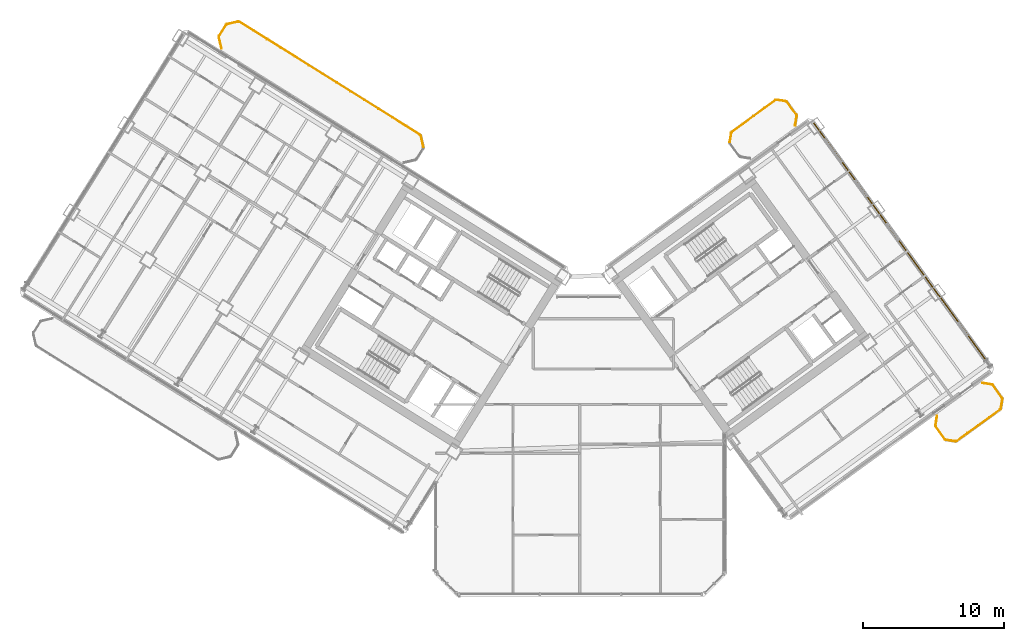
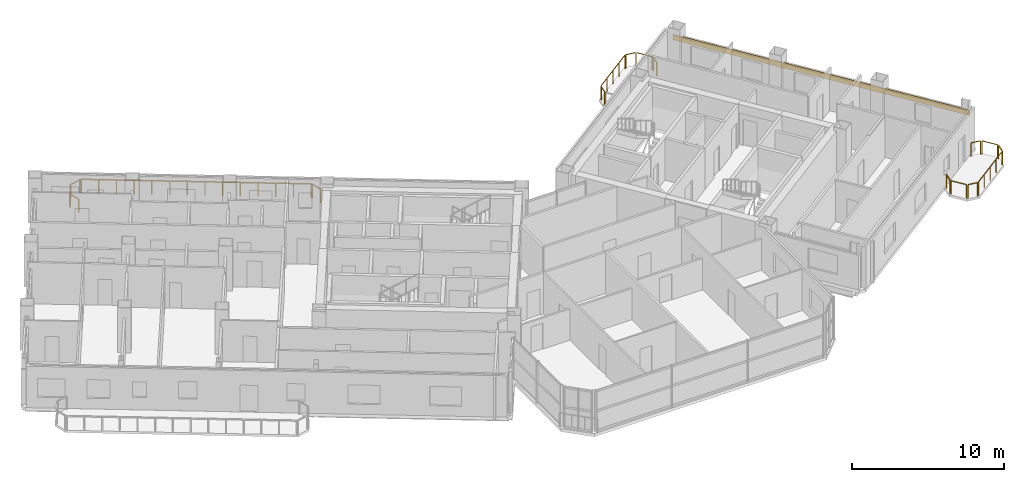
# One storey, part 29 of 29: 17 railings, 1 covering.
"""IFC4 building model written with IfcOpenShell, lengths in metres."""

import ifcopenshell
import ifcopenshell.guid

model = None  # the IFC model being written
_history = None  # IfcOwnerHistory: only IFC2X3 demands one
_inside = {}  # id of a spatial element -> (the spatial element, [elements in it])
_under = {}  # id of a project, library or spatial element -> (it, [spatial elements below it])
_declared = {}  # id of a project -> (the project, [libraries it declares])
_typed = {}  # id of a type object -> (the type object, [elements of that type])
_made_of = {}  # id of a material, layer set ... -> (it, [elements and type objects made of it])


def new_model(schema):
    """Start an empty IFC model of exactly this schema.

    Asked for "IFC4X3", IfcOpenShell would pick the latest addendum, in which some entities
    have other attributes; the version numbers below select the first issue.
    IFC2X3 requires an IfcOwnerHistory on every rooted entity: one is made here for all.
    """
    global model, _history
    if schema == "IFC4X3":
        model = ifcopenshell.file(schema_version=(4, 3, 0, 0))
    else:
        model = ifcopenshell.file(schema=schema)
    _inside.clear()
    _under.clear()
    _declared.clear()
    _typed.clear()
    _made_of.clear()
    _history = None
    if model.schema == "IFC2X3":
        org = make("IfcOrganization", Name="unknown")
        user = make(
            "IfcPersonAndOrganization",
            ThePerson=make("IfcPerson", FamilyName="unknown"),
            TheOrganization=org,
        )
        app = make(
            "IfcApplication",
            ApplicationDeveloper=org,
            Version="unknown",
            ApplicationFullName="unknown",
            ApplicationIdentifier="unknown",
        )
        _history = make(
            "IfcOwnerHistory",
            OwningUser=user,
            OwningApplication=app,
            ChangeAction="ADDED",
            CreationDate=0,
        )
    return model


def make(cls, **values):
    """One entity of the class cls with the attributes given. An attribute that is None is left unset."""
    return model.create_entity(
        cls, **{name: value for name, value in values.items() if value is not None}
    )


def rooted(cls, **values):
    """An entity with a GlobalId (a new one), such as an element, a storey or a relation."""
    return make(cls, GlobalId=ifcopenshell.guid.new(), OwnerHistory=_history, **values)


def si_unit(unit_type, name, prefix=None):
    """IfcSIUnit, for example si_unit("LENGTHUNIT", "METRE", prefix="MILLI")."""
    return make("IfcSIUnit", UnitType=unit_type, Prefix=prefix, Name=name)


def assignment(units):
    """IfcUnitAssignment: the units of a project."""
    return None if units is None else make("IfcUnitAssignment", Units=units)


def point(xyz):
    """IfcCartesianPoint."""
    return None if xyz is None else make("IfcCartesianPoint", Coordinates=xyz)


def direction(xyz):
    """IfcDirection."""
    return None if xyz is None else make("IfcDirection", DirectionRatios=xyz)


def frame(location, z_axis=None, x_axis=None):
    """IfcAxis2Placement3D, a coordinate frame: its origin and axes. An axis left out is left unset."""
    return make(
        "IfcAxis2Placement3D",
        Location=point(location),
        Axis=direction(z_axis),
        RefDirection=direction(x_axis),
    )


def frame_2d(location, x_axis=None):
    """IfcAxis2Placement2D, a coordinate frame in the plane: its origin and x axis."""
    return make(
        "IfcAxis2Placement2D", Location=point(location), RefDirection=direction(x_axis)
    )


def origin():
    """The frame at (0, 0, 0) with its axes left unset."""
    return frame((0.0, 0.0, 0.0))


def origin_2d():
    """The frame at (0, 0) in the plane with its x axis left unset."""
    return frame_2d((0.0, 0.0))


def place(relative_to, where):
    """IfcLocalPlacement: puts the frame where relative to a parent placement (None: the world)."""
    return make(
        "IfcLocalPlacement", PlacementRelTo=relative_to, RelativePlacement=where
    )


def context(
    kind, dimensions, precision=None, world=None, true_north=None, identifier=None
):
    """IfcGeometricRepresentationContext, for example the 3D "Model" context."""
    return make(
        "IfcGeometricRepresentationContext",
        ContextIdentifier=identifier,
        ContextType=kind,
        CoordinateSpaceDimension=dimensions,
        Precision=precision,
        WorldCoordinateSystem=world,
        TrueNorth=true_north,
    )


def subcontext(parent, identifier, kind, view, scale=None):
    """IfcGeometricRepresentationSubContext, for example "Body" below "Model"."""
    return make(
        "IfcGeometricRepresentationSubContext",
        ContextIdentifier=identifier,
        ContextType=kind,
        ParentContext=parent,
        TargetScale=scale,
        TargetView=view,
    )


def project(units=None, contexts=None):
    """IfcProject with its units and contexts."""
    return rooted(
        "IfcProject",
        Name="project",
        RepresentationContexts=contexts,
        UnitsInContext=assignment(units),
    )


def spatial(cls, under=None, at=None, **own):
    """A site, building, storey or space (cls), placed at a placement, below another one or the project."""
    s = rooted(cls, ObjectPlacement=at, **own)
    if under is not None:
        _under.setdefault(under.id(), (under, []))[1].append(s)
    return s


def profile(cls, at=None, kind="AREA", **sizes):
    """A parametric profile (cls). Its sizes go by their IFC names, for example OverallWidth=200.0."""
    return make(cls, ProfileType=kind, Position=at, **sizes)


def rectangle(**sizes):
    """IfcRectangleProfileDef."""
    return profile("IfcRectangleProfileDef", **sizes)


def extrude(swept, where, along, depth):
    """IfcExtrudedAreaSolid: the profile swept, set in the frame where, extruded along a direction by depth."""
    return make(
        "IfcExtrudedAreaSolid",
        SweptArea=swept,
        Position=where,
        ExtrudedDirection=direction(along),
        Depth=depth,
    )


def shape(context_of_items, identifier, shape_type, items):
    """IfcShapeRepresentation: the items that make up one representation, for example the "Body"."""
    return make(
        "IfcShapeRepresentation",
        ContextOfItems=context_of_items,
        RepresentationIdentifier=identifier,
        RepresentationType=shape_type,
        Items=items,
    )


def source(mapping_origin, context_of_items, identifier, shape_type, items):
    """IfcRepresentationMap: a shape defined once, which mapped items show again and again."""
    return make(
        "IfcRepresentationMap",
        MappingOrigin=mapping_origin,
        MappedRepresentation=shape(context_of_items, identifier, shape_type, items),
    )


def transform(
    local_origin,
    x_axis=None,
    y_axis=None,
    z_axis=None,
    scale=None,
    scale2=None,
    scale3=None,
    uniform=True,
):
    """IfcCartesianTransformationOperator3D, or its non-uniform kind. x_axis, y_axis, z_axis: its Axis1, 2, 3."""
    if uniform:
        return make(
            "IfcCartesianTransformationOperator3D",
            Axis1=direction(x_axis),
            Axis2=direction(y_axis),
            LocalOrigin=point(local_origin),
            Scale=scale,
            Axis3=direction(z_axis),
        )
    return make(
        "IfcCartesianTransformationOperator3DnonUniform",
        Axis1=direction(x_axis),
        Axis2=direction(y_axis),
        LocalOrigin=point(local_origin),
        Scale=scale,
        Axis3=direction(z_axis),
        Scale2=scale2,
        Scale3=scale3,
    )


def mapped(mapping_source, mapping_target):
    """IfcMappedItem: shows the shape of a source again, moved by a transform."""
    return make(
        "IfcMappedItem", MappingSource=mapping_source, MappingTarget=mapping_target
    )


def material(Name=None, Category=None):
    """IfcMaterial."""
    return make("IfcMaterial", Name=Name, Category=Category)


def layer(
    of_material, thickness, ventilated=None, Name=None, Category=None, Priority=None
):
    """IfcMaterialLayer: one layer of a wall or slab, of a material (None: an air gap)."""
    return make(
        "IfcMaterialLayer",
        Material=of_material,
        LayerThickness=thickness,
        IsVentilated=ventilated,
        Name=Name,
        Category=Category,
        Priority=Priority,
    )


def layer_set(layers, Name=None):
    """IfcMaterialLayerSet."""
    return make("IfcMaterialLayerSet", MaterialLayers=layers, LayerSetName=Name)


def made_of(thing, what):
    """Note that an element or type object is made of a material, layer set ...; save() writes the relation."""
    if what is not None:
        _made_of.setdefault(what.id(), (what, []))[1].append(thing)
    return thing


def type_object(cls, material=None, **own):
    """A type object (cls), such as IfcWallType, which elements share."""
    return made_of(rooted(cls, **own), material)


def element(
    cls,
    number,
    at=None,
    inside=None,
    cuts=None,
    type_object=None,
    material=None,
    context=None,
    identifier="Body",
    shape_type=None,
    held_by="IfcProductDefinitionShape",
    body=None,
    shapes=None,
    **own,
):
    """One element of the class cls, such as IfcWall. Its Tag is "e" and its number.

    at: its placement. inside: the storey or other place that contains it. cuts: it is an
    opening in that element (IfcRelVoidsElement). A single representation is given by context,
    identifier, shape_type and body (its items); several are given by shapes. held_by: the class
    of the entity that holds the representations. save() writes the other relations.
    """
    e = rooted(cls, Tag="e%d" % number, ObjectPlacement=at, **own)
    if body is not None:
        shapes = [shape(context, identifier, shape_type, body)]
    if shapes is not None:
        e.Representation = make(held_by, Representations=shapes)
    if inside is not None:
        _inside.setdefault(inside.id(), (inside, []))[1].append(e)
    if cuts is not None:
        rooted(
            "IfcRelVoidsElement", RelatingBuildingElement=cuts, RelatedOpeningElement=e
        )
    if type_object is not None:
        _typed.setdefault(type_object.id(), (type_object, []))[1].append(e)
    return made_of(e, material)


def aggregate(whole, parts):
    """IfcRelAggregates: a whole, such as a stair, and the parts it consists of."""
    return rooted("IfcRelAggregates", RelatingObject=whole, RelatedObjects=parts)


def save(model, path):
    """Write the relations noted so far, then the file.

    IfcRelAggregates (storeys below a building ...), IfcRelContainedInSpatialStructure (elements
    in a storey), IfcRelDefinesByType, IfcRelAssociatesMaterial and IfcRelDeclares: one each for
    every whole, place, type object, material and project.
    """
    for whole, parts in _under.values():
        aggregate(whole, parts)
    for where, things in _inside.values():
        rooted(
            "IfcRelContainedInSpatialStructure",
            RelatedElements=things,
            RelatingStructure=where,
        )
    for kind, things in _typed.values():
        rooted("IfcRelDefinesByType", RelatedObjects=things, RelatingType=kind)
    for what, things in _made_of.values():
        rooted("IfcRelAssociatesMaterial", RelatedObjects=things, RelatingMaterial=what)
    for by, libraries in _declared.values():
        rooted("IfcRelDeclares", RelatingContext=by, RelatedDefinitions=libraries)
    model.write(path)


model = new_model("IFC4")

# Units and contexts
model_context = context("Model", 3, precision=1e-05, world=origin(), true_north=direction((0.0, 1.0)))
body_context = subcontext(model_context, "Body", "Model", "MODEL_VIEW")
ifc_project = project(units=[si_unit("LENGTHUNIT", "METRE"), si_unit("AREAUNIT", "SQUARE_METRE"), si_unit("VOLUMEUNIT", "CUBIC_METRE"), si_unit("PLANEANGLEUNIT", "RADIAN"), si_unit("MASSUNIT", "GRAM", prefix="KILO")], contexts=[model_context])

# Site, building, storey
site_placement = place(None, origin())
site = spatial("IfcSite", under=ifc_project, at=site_placement, CompositionType="ELEMENT")
building_placement = place(site_placement, origin())
building = spatial("IfcBuilding", under=site, at=building_placement, Name="Tlacorven Tower", CompositionType="ELEMENT")
storey_placement = place(building_placement, frame((0.0, 0.0, 165.89990234375)))
storey = spatial("IfcBuildingStorey", under=building, at=storey_placement, Name="L42", CompositionType="ELEMENT", Elevation=165.89990234375)

# Railings
ifc_material_1 = material(Name="Aluminium and painted steel balustrade", Category="steel")
railing_type = type_object("IfcRailingType", Name="RL-BAL-1100", PredefinedType="BALUSTRADE", material=ifc_material_1)
shared_shape_1 = source(origin(), body_context, "Body", "SweptSolid", [
    extrude(rectangle(XDim=0.048095703125, YDim=0.048095703125, at=origin_2d()), frame((0.0, 0.0, 1.076171875), z_axis=(0.225058334816, -0.974345290916, 0.0), x_axis=(0.974345290916, 0.225058334816, 0.0)), (0.0, 0.0, 1.0), 0.80712890625),
    extrude(rectangle(XDim=0.0419921875, YDim=0.0419921875, at=origin_2d()), origin(), (0.0, 0.0, 1.0), 1.052001953125),
    extrude(rectangle(XDim=0.0419921875, YDim=0.0419921875, at=origin_2d()), frame((0.181640625, -0.786376953125, 0.0)), (0.0, 0.0, 1.0), 1.052001953125),
])
railing_1_placement = place(storey_placement, frame((30.6796875, 34.466064453125, 0.0)))
element("IfcRailing", 1, at=railing_1_placement, inside=storey, type_object=railing_type, Name="BAL-L42-W-IN Guard Railing 1", PredefinedType="BALUSTRADE", context=body_context, shape_type="MappedRepresentation", body=[
    mapped(shared_shape_1, transform((0.0, 0.0, 0.0), scale=1.0)),
])
shared_shape_2 = source(origin(), body_context, "Body", "SweptSolid", [
    extrude(rectangle(XDim=0.048095703125, YDim=0.048095703125, at=origin_2d()), frame((0.0, 0.0, 1.076171875), z_axis=(-0.225058334816, 0.974345290916, 0.0), x_axis=(-0.974345290916, -0.225058334816, 0.0)), (0.0, 0.0, 1.0), 0.80712890625),
    extrude(rectangle(XDim=0.0419921875, YDim=0.0419921875, at=origin_2d()), origin(), (0.0, 0.0, 1.0), 1.052001953125),
    extrude(rectangle(XDim=0.0419921875, YDim=0.0419921875, at=origin_2d()), frame((-0.181640625, 0.786376953125, 0.0)), (0.0, 0.0, 1.0), 1.052001953125),
])
railing_2_placement = place(storey_placement, frame((16.5361328125, 40.68115234375, 0.0)))
element("IfcRailing", 2, at=railing_2_placement, inside=storey, type_object=railing_type, Name="BAL-L42-W-IN Guard Railing 4", PredefinedType="BALUSTRADE", context=body_context, shape_type="MappedRepresentation", body=[
    mapped(shared_shape_2, transform((0.0, 0.0, 0.0), scale=1.0)),
])
shared_shape_3 = source(origin(), body_context, "Body", "SweptSolid", [
    extrude(rectangle(XDim=0.048095703125, YDim=0.048095703125, at=origin_2d()), frame((0.0, 0.0, 1.076171875), z_axis=(0.52987865805, 0.848073468364, 0.0), x_axis=(-0.848073468364, 0.52987865805, 0.0)), (0.0, 0.0, 1.0), 0.912353515625),
    extrude(rectangle(XDim=0.0419921875, YDim=0.0419921875, at=origin_2d()), origin(), (0.0, 0.0, 1.0), 1.052001953125),
    extrude(rectangle(XDim=0.0419921875, YDim=0.0419921875, at=origin_2d()), frame((0.4833984375, 0.773681640625, 0.0)), (0.0, 0.0, 1.0), 1.052001953125),
])
railing_3_placement = place(storey_placement, frame((16.369873046875, 41.55859375, 0.0)))
element("IfcRailing", 3, at=railing_3_placement, inside=storey, type_object=railing_type, Name="BAL-L42-W-IN Guard Railing 5", PredefinedType="BALUSTRADE", context=body_context, shape_type="MappedRepresentation", body=[
    mapped(shared_shape_3, transform((0.0, 0.0, 0.0), scale=1.0)),
])
shared_shape_4 = source(origin(), body_context, "Body", "SweptSolid", [
    extrude(rectangle(XDim=0.048095703125, YDim=0.048095703125, at=origin_2d()), frame((0.0, 0.0, 1.076171875), z_axis=(0.974411586182, 0.224771129628, 0.0), x_axis=(-0.224771129628, 0.974411586182, 0.0)), (0.0, 0.0, 1.0), 0.80712890625),
    extrude(rectangle(XDim=0.0419921875, YDim=0.0419921875, at=origin_2d()), origin(), (0.0, 0.0, 1.0), 1.052001953125),
    extrude(rectangle(XDim=0.0419921875, YDim=0.0419921875, at=origin_2d()), frame((0.786376953125, 0.181396484375, 0.0)), (0.0, 0.0, 1.0), 1.052001953125),
])
railing_4_placement = place(storey_placement, frame((16.928466796875, 42.385986328125, 0.0)))
element("IfcRailing", 4, at=railing_4_placement, inside=storey, type_object=railing_type, Name="BAL-L42-W-IN Guard Railing 6", PredefinedType="BALUSTRADE", context=body_context, shape_type="MappedRepresentation", body=[
    mapped(shared_shape_4, transform((0.0, 0.0, 0.0), scale=1.0)),
])
shared_shape_5 = source(origin(), body_context, "Body", "SweptSolid", [
    extrude(rectangle(XDim=0.048095703125, YDim=0.048095703125, at=origin_2d()), frame((0.0, 0.0, 1.076171875), z_axis=(0.848044572804, -0.529924902733, 0.0), x_axis=(0.529924902733, 0.848044572804, 0.0)), (0.0, 0.0, 1.0), 15.1171875),
    extrude(rectangle(XDim=0.0419921875, YDim=0.0419921875, at=origin_2d()), origin(), (0.0, 0.0, 1.0), 1.052001953125),
    extrude(rectangle(XDim=0.0419921875, YDim=0.0419921875, at=origin_2d()), frame((0.986083984375, -0.6162109375, 0.0)), (0.0, 0.0, 1.0), 1.052001953125),
    extrude(rectangle(XDim=0.0419921875, YDim=0.0419921875, at=origin_2d()), frame((1.972412109375, -1.232421875, 0.0)), (0.0, 0.0, 1.0), 1.052001953125),
    extrude(rectangle(XDim=0.0419921875, YDim=0.0419921875, at=origin_2d()), frame((2.95849609375, -1.8486328125, 0.0)), (0.0, 0.0, 1.0), 1.052001953125),
    extrude(rectangle(XDim=0.0419921875, YDim=0.0419921875, at=origin_2d()), frame((3.944580078125, -2.46484375, 0.0)), (0.0, 0.0, 1.0), 1.052001953125),
    extrude(rectangle(XDim=0.0419921875, YDim=0.0419921875, at=origin_2d()), frame((4.930908203125, -3.0810546875, 0.0)), (0.0, 0.0, 1.0), 1.052001953125),
    extrude(rectangle(XDim=0.0419921875, YDim=0.0419921875, at=origin_2d()), frame((5.9169921875, -3.697265625, 0.0)), (0.0, 0.0, 1.0), 1.052001953125),
    extrude(rectangle(XDim=0.0419921875, YDim=0.0419921875, at=origin_2d()), frame((6.903076171875, -4.313720703125, 0.0)), (0.0, 0.0, 1.0), 1.052001953125),
    extrude(rectangle(XDim=0.0419921875, YDim=0.0419921875, at=origin_2d()), frame((7.88916015625, -4.929931640625, 0.0)), (0.0, 0.0, 1.0), 1.052001953125),
    extrude(rectangle(XDim=0.0419921875, YDim=0.0419921875, at=origin_2d()), frame((8.87548828125, -5.546142578125, 0.0)), (0.0, 0.0, 1.0), 1.052001953125),
    extrude(rectangle(XDim=0.0419921875, YDim=0.0419921875, at=origin_2d()), frame((9.861572265625, -6.162353515625, 0.0)), (0.0, 0.0, 1.0), 1.052001953125),
    extrude(rectangle(XDim=0.0419921875, YDim=0.0419921875, at=origin_2d()), frame((10.84765625, -6.778564453125, 0.0)), (0.0, 0.0, 1.0), 1.052001953125),
    extrude(rectangle(XDim=0.0419921875, YDim=0.0419921875, at=origin_2d()), frame((11.833984375, -7.394775390625, 0.0)), (0.0, 0.0, 1.0), 1.052001953125),
    extrude(rectangle(XDim=0.0419921875, YDim=0.0419921875, at=origin_2d()), frame((12.820068359375, -8.010986328125, 0.0)), (0.0, 0.0, 1.0), 1.052001953125),
])
railing_5_placement = place(storey_placement, frame((17.805908203125, 42.55224609375, 0.0)))
element("IfcRailing", 5, at=railing_5_placement, inside=storey, type_object=railing_type, Name="BAL-L42-W-IN Guard Railing 7", PredefinedType="BALUSTRADE", context=body_context, shape_type="MappedRepresentation", body=[
    mapped(shared_shape_5, transform((0.0, 0.0, 0.0), scale=1.0)),
])
shared_shape_6 = source(origin(), body_context, "Body", "SweptSolid", [
    extrude(rectangle(XDim=0.048095703125, YDim=0.048095703125, at=origin_2d()), frame((0.0, 0.0, 1.076171875), z_axis=(-0.987661653326, 0.156602868908, 0.0), x_axis=(-0.156602868908, -0.987661653326, 0.0)), (0.0, 0.0, 1.0), 0.665771484375),
    extrude(rectangle(XDim=0.0419921875, YDim=0.0419921875, at=origin_2d()), origin(), (0.0, 0.0, 1.0), 1.052001953125),
    extrude(rectangle(XDim=0.0419921875, YDim=0.0419921875, at=origin_2d()), frame((-0.657470703125, 0.104248046875, 0.0)), (0.0, 0.0, 1.0), 1.052001953125),
])
railing_6_placement = place(storey_placement, frame((68.59521484375, 12.7919921875, 0.0)))
element("IfcRailing", 6, at=railing_6_placement, inside=storey, type_object=railing_type, Name="BAL-L42-E-OUT Guard Railing 1", PredefinedType="BALUSTRADE", context=body_context, shape_type="MappedRepresentation", body=[
    mapped(shared_shape_6, transform((0.0, 0.0, 0.0), scale=1.0)),
])
shared_shape_7 = source(origin(), body_context, "Body", "SweptSolid", [
    extrude(rectangle(XDim=0.048095703125, YDim=0.048095703125, at=origin_2d()), frame((0.0, 0.0, 1.076171875), z_axis=(-0.58788449985, 0.808944877501, 0.0), x_axis=(-0.808944877501, -0.58788449985, 0.0)), (0.0, 0.0, 1.0), 1.112060546875),
    extrude(rectangle(XDim=0.0419921875, YDim=0.0419921875, at=origin_2d()), origin(), (0.0, 0.0, 1.0), 1.052001953125),
    extrude(rectangle(XDim=0.0419921875, YDim=0.0419921875, at=origin_2d()), frame((-0.65380859375, 0.899658203125, 0.0)), (0.0, 0.0, 1.0), 1.052001953125),
])
railing_7_placement = place(storey_placement, frame((67.85888671875, 12.944580078125, 0.0)))
element("IfcRailing", 7, at=railing_7_placement, inside=storey, type_object=railing_type, Name="BAL-L42-E-OUT Guard Railing 2", PredefinedType="BALUSTRADE", context=body_context, shape_type="MappedRepresentation", body=[
    mapped(shared_shape_7, transform((0.0, 0.0, 0.0), scale=1.0)),
])
shared_shape_8 = source(origin(), body_context, "Body", "SweptSolid", [
    extrude(rectangle(XDim=0.048095703125, YDim=0.048095703125, at=origin_2d()), frame((0.0, 0.0, 1.076171875), z_axis=(0.156602868908, 0.987661653326, 0.0), x_axis=(-0.987661653326, 0.156602868908, 0.0)), (0.0, 0.0, 1.0), 0.665771484375),
    extrude(rectangle(XDim=0.0419921875, YDim=0.0419921875, at=origin_2d()), origin(), (0.0, 0.0, 1.0), 1.052001953125),
    extrude(rectangle(XDim=0.0419921875, YDim=0.0419921875, at=origin_2d()), frame((0.104248046875, 0.657470703125, 0.0)), (0.0, 0.0, 1.0), 1.052001953125),
])
railing_8_placement = place(storey_placement, frame((67.18359375, 13.93408203125, 0.0)))
element("IfcRailing", 8, at=railing_8_placement, inside=storey, type_object=railing_type, Name="BAL-L42-E-OUT Guard Railing 3", PredefinedType="BALUSTRADE", context=body_context, shape_type="MappedRepresentation", body=[
    mapped(shared_shape_8, transform((0.0, 0.0, 0.0), scale=1.0)),
])
shared_shape_9 = source(origin(), body_context, "Body", "SweptSolid", [
    extrude(rectangle(XDim=0.048095703125, YDim=0.048095703125, at=origin_2d()), frame((0.0, 0.0, 1.076171875), z_axis=(0.987718317463, -0.156245081039, 0.0), x_axis=(0.156245081039, 0.987718317463, 0.0)), (0.0, 0.0, 1.0), 0.66552734375),
    extrude(rectangle(XDim=0.0419921875, YDim=0.0419921875, at=origin_2d()), origin(), (0.0, 0.0, 1.0), 1.052001953125),
    extrude(rectangle(XDim=0.0419921875, YDim=0.0419921875, at=origin_2d()), frame((0.657470703125, -0.10400390625, 0.0)), (0.0, 0.0, 1.0), 1.052001953125),
])
railing_9_placement = place(storey_placement, frame((70.513916015625, 16.935546875, 0.0)))
element("IfcRailing", 9, at=railing_9_placement, inside=storey, type_object=railing_type, Name="BAL-L42-E-OUT Guard Railing 4", PredefinedType="BALUSTRADE", context=body_context, shape_type="MappedRepresentation", body=[
    mapped(shared_shape_9, transform((0.0, 0.0, 0.0), scale=1.0)),
])
shared_shape_10 = source(origin(), body_context, "Body", "SweptSolid", [
    extrude(rectangle(XDim=0.048095703125, YDim=0.048095703125, at=origin_2d()), frame((0.0, 0.0, 1.076171875), z_axis=(0.58788449985, -0.808944877501, 0.0), x_axis=(0.808944877501, 0.58788449985, 0.0)), (0.0, 0.0, 1.0), 1.112060546875),
    extrude(rectangle(XDim=0.0419921875, YDim=0.0419921875, at=origin_2d()), origin(), (0.0, 0.0, 1.0), 1.052001953125),
    extrude(rectangle(XDim=0.0419921875, YDim=0.0419921875, at=origin_2d()), frame((0.65380859375, -0.899658203125, 0.0)), (0.0, 0.0, 1.0), 1.052001953125),
])
for number, where, name in (
    (10, (71.250244140625, 16.783203125, 0.0), "BAL-L42-E-OUT Guard Railing 5"),
    (11, (56.658447265625, 36.866943359375, 0.0), "BAL-L42-E-IN Guard Railing 6"),
):
    element("IfcRailing", number, at=place(storey_placement, frame(where)), inside=storey, type_object=railing_type, Name=name, PredefinedType="BALUSTRADE", context=body_context, shape_type="MappedRepresentation", body=[
        mapped(shared_shape_10, transform((0.0, 0.0, 0.0), scale=1.0)),
    ])
shared_shape_11 = source(origin(), body_context, "Body", "SweptSolid", [
    extrude(rectangle(XDim=0.048095703125, YDim=0.048095703125, at=origin_2d()), frame((0.0, 0.0, 1.076171875), z_axis=(-0.156188498702, -0.987727266442, 0.0), x_axis=(0.987727266442, -0.156188498702, 0.0)), (0.0, 0.0, 1.0), 0.665771484375),
    extrude(rectangle(XDim=0.0419921875, YDim=0.0419921875, at=origin_2d()), origin(), (0.0, 0.0, 1.0), 1.052001953125),
    extrude(rectangle(XDim=0.0419921875, YDim=0.0419921875, at=origin_2d()), frame((-0.10400390625, -0.65771484375, 0.0)), (0.0, 0.0, 1.0), 1.052001953125),
])
railing_10_placement = place(storey_placement, frame((71.925537109375, 15.793701171875, 0.0)))
element("IfcRailing", 12, at=railing_10_placement, inside=storey, type_object=railing_type, Name="BAL-L42-E-OUT Guard Railing 6", PredefinedType="BALUSTRADE", context=body_context, shape_type="MappedRepresentation", body=[
    mapped(shared_shape_11, transform((0.0, 0.0, 0.0), scale=1.0)),
])
shared_shape_12 = source(origin(), body_context, "Body", "SweptSolid", [
    extrude(rectangle(XDim=0.048095703125, YDim=0.048095703125, at=origin_2d()), frame((0.0, 0.0, 1.076171875), z_axis=(-0.809018102573, -0.587783726986, 0.0), x_axis=(0.587783726986, -0.809018102573, 0.0)), (0.0, 0.0, 1.0), 3.817138671875),
    extrude(rectangle(XDim=0.0419921875, YDim=0.0419921875, at=origin_2d()), origin(), (0.0, 0.0, 1.0), 1.052001953125),
    extrude(rectangle(XDim=0.0419921875, YDim=0.0419921875, at=origin_2d()), frame((-0.77197265625, -0.56103515625, 0.0)), (0.0, 0.0, 1.0), 1.052001953125),
    extrude(rectangle(XDim=0.0419921875, YDim=0.0419921875, at=origin_2d()), frame((-1.5439453125, -1.121826171875, 0.0)), (0.0, 0.0, 1.0), 1.052001953125),
    extrude(rectangle(XDim=0.0419921875, YDim=0.0419921875, at=origin_2d()), frame((-2.316162109375, -1.6826171875, 0.0)), (0.0, 0.0, 1.0), 1.052001953125),
    extrude(rectangle(XDim=0.0419921875, YDim=0.0419921875, at=origin_2d()), frame((-3.088134765625, -2.24365234375, 0.0)), (0.0, 0.0, 1.0), 1.052001953125),
])
railing_11_placement = place(storey_placement, frame((71.773193359375, 15.057373046875, 0.0)))
element("IfcRailing", 13, at=railing_11_placement, inside=storey, type_object=railing_type, Name="BAL-L42-E-OUT Guard Railing 7", PredefinedType="BALUSTRADE", context=body_context, shape_type="MappedRepresentation", body=[
    mapped(shared_shape_12, transform((0.0, 0.0, 0.0), scale=1.0)),
])
shared_shape_13 = source(origin(), body_context, "Body", "SweptSolid", [
    extrude(rectangle(XDim=0.048095703125, YDim=0.048095703125, at=origin_2d()), frame((0.0, 0.0, 1.076171875), z_axis=(0.156546163506, 0.987670642822, 0.0), x_axis=(-0.987670642822, 0.156546163506, 0.0)), (0.0, 0.0, 1.0), 0.666015625),
    extrude(rectangle(XDim=0.0419921875, YDim=0.0419921875, at=origin_2d()), origin(), (0.0, 0.0, 1.0), 1.052001953125),
    extrude(rectangle(XDim=0.0419921875, YDim=0.0419921875, at=origin_2d()), frame((0.104248046875, 0.65771484375, 0.0)), (0.0, 0.0, 1.0), 1.052001953125),
])
railing_12_placement = place(storey_placement, frame((52.591796875, 34.017822265625, 0.0)))
element("IfcRailing", 14, at=railing_12_placement, inside=storey, type_object=railing_type, Name="BAL-L42-E-IN Guard Railing 3", PredefinedType="BALUSTRADE", context=body_context, shape_type="MappedRepresentation", body=[
    mapped(shared_shape_13, transform((0.0, 0.0, 0.0), scale=1.0)),
])
shared_shape_14 = source(origin(), body_context, "Body", "SweptSolid", [
    extrude(rectangle(XDim=0.048095703125, YDim=0.048095703125, at=origin_2d()), frame((0.0, 0.0, 1.076171875), z_axis=(0.809040198054, 0.587753313843, 0.0), x_axis=(-0.587753313843, 0.809040198054, 0.0)), (0.0, 0.0, 1.0), 3.8173828125),
    extrude(rectangle(XDim=0.0419921875, YDim=0.0419921875, at=origin_2d()), origin(), (0.0, 0.0, 1.0), 1.052001953125),
    extrude(rectangle(XDim=0.0419921875, YDim=0.0419921875, at=origin_2d()), frame((0.77197265625, 0.56103515625, 0.0)), (0.0, 0.0, 1.0), 1.052001953125),
    extrude(rectangle(XDim=0.0419921875, YDim=0.0419921875, at=origin_2d()), frame((1.544189453125, 1.121826171875, 0.0)), (0.0, 0.0, 1.0), 1.052001953125),
    extrude(rectangle(XDim=0.0419921875, YDim=0.0419921875, at=origin_2d()), frame((2.31640625, 1.6826171875, 0.0)), (0.0, 0.0, 1.0), 1.052001953125),
    extrude(rectangle(XDim=0.0419921875, YDim=0.0419921875, at=origin_2d()), frame((3.08837890625, 2.24365234375, 0.0)), (0.0, 0.0, 1.0), 1.052001953125),
])
railing_13_placement = place(storey_placement, frame((52.744140625, 34.754150390625, 0.0)))
element("IfcRailing", 15, at=railing_13_placement, inside=storey, type_object=railing_type, Name="BAL-L42-E-IN Guard Railing 4", PredefinedType="BALUSTRADE", context=body_context, shape_type="MappedRepresentation", body=[
    mapped(shared_shape_14, transform((0.0, 0.0, 0.0), scale=1.0)),
])
shared_shape_15 = source(origin(), body_context, "Body", "SweptSolid", [
    extrude(rectangle(XDim=0.048095703125, YDim=0.048095703125, at=origin_2d()), frame((0.0, 0.0, 1.076171875), z_axis=(0.987670642822, -0.156546163506, 0.0), x_axis=(0.156546163506, 0.987670642822, 0.0)), (0.0, 0.0, 1.0), 0.666015625),
    extrude(rectangle(XDim=0.0419921875, YDim=0.0419921875, at=origin_2d()), origin(), (0.0, 0.0, 1.0), 1.052001953125),
    extrude(rectangle(XDim=0.0419921875, YDim=0.0419921875, at=origin_2d()), frame((0.65771484375, -0.104248046875, 0.0)), (0.0, 0.0, 1.0), 1.052001953125),
])
railing_14_placement = place(storey_placement, frame((55.922119140625, 37.01953125, 0.0)))
element("IfcRailing", 16, at=railing_14_placement, inside=storey, type_object=railing_type, Name="BAL-L42-E-IN Guard Railing 5", PredefinedType="BALUSTRADE", context=body_context, shape_type="MappedRepresentation", body=[
    mapped(shared_shape_15, transform((0.0, 0.0, 0.0), scale=1.0)),
])
shared_shape_16 = source(origin(), body_context, "Body", "SweptSolid", [
    extrude(rectangle(XDim=0.048095703125, YDim=0.048095703125, at=origin_2d()), frame((0.0, 0.0, 1.076171875), z_axis=(-0.156245081039, -0.987718317463, 0.0), x_axis=(0.987718317463, -0.156245081039, 0.0)), (0.0, 0.0, 1.0), 0.66552734375),
    extrude(rectangle(XDim=0.0419921875, YDim=0.0419921875, at=origin_2d()), origin(), (0.0, 0.0, 1.0), 1.052001953125),
    extrude(rectangle(XDim=0.0419921875, YDim=0.0419921875, at=origin_2d()), frame((-0.10400390625, -0.657470703125, 0.0)), (0.0, 0.0, 1.0), 1.052001953125),
])
railing_15_placement = place(storey_placement, frame((57.333740234375, 35.87744140625, 0.0)))
element("IfcRailing", 17, at=railing_15_placement, inside=storey, type_object=railing_type, Name="BAL-L42-E-IN Guard Railing 7", PredefinedType="BALUSTRADE", context=body_context, shape_type="MappedRepresentation", body=[
    mapped(shared_shape_16, transform((0.0, 0.0, 0.0), scale=1.0)),
])

# Covering
ifc_material_2 = material(Name="Precast concrete C45/55", Category="concrete")
ifc_layer = layer(ifc_material_2, 0.06005859375)
ifc_layer_set = layer_set([ifc_layer], Name="Precast concrete C45/55")
covering_type = type_object("IfcCoveringType", Name="CV-CLD-TERC", PredefinedType="CLADDING", material=ifc_layer_set)
shared_shape_17 = source(origin(), body_context, "Body", "SweptSolid", [
    extrude(rectangle(XDim=21.287353515625, YDim=0.06005859375, at=origin_2d()), origin(), (0.0, 0.0, 1.0), 0.419921875),
])
covering_placement = place(storey_placement, frame((64.799072265625, 26.75146484375, 2.375244140625), z_axis=(0.0, 0.0, 1.0), x_axis=(0.587785363163, -0.809016913823, 0.0)))
element("IfcCovering", 18, at=covering_placement, inside=storey, type_object=covering_type, Name="L42 Masonry-Frame Spandrel Cladding 5", PredefinedType="CLADDING", context=body_context, shape_type="MappedRepresentation", body=[
    mapped(shared_shape_17, transform((0.0, 0.0, 0.0), scale=1.0)),
])

save(model, "model.ifc")
